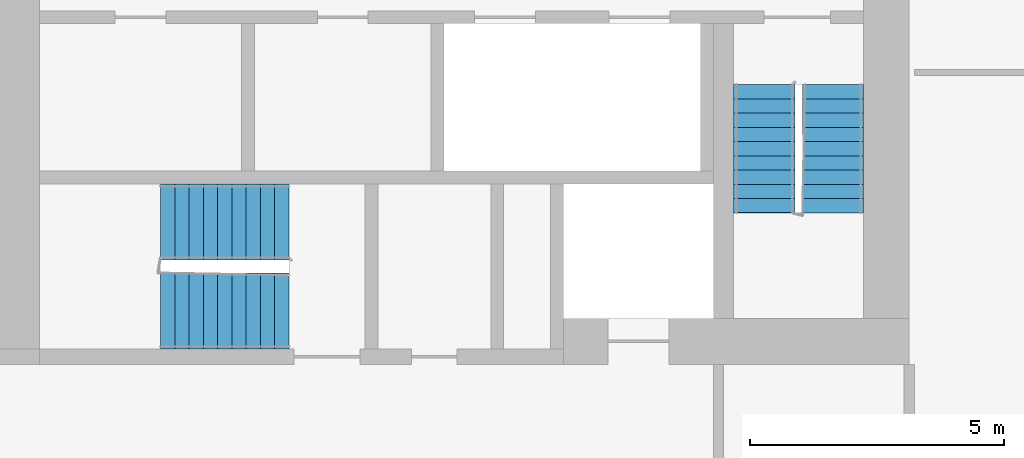
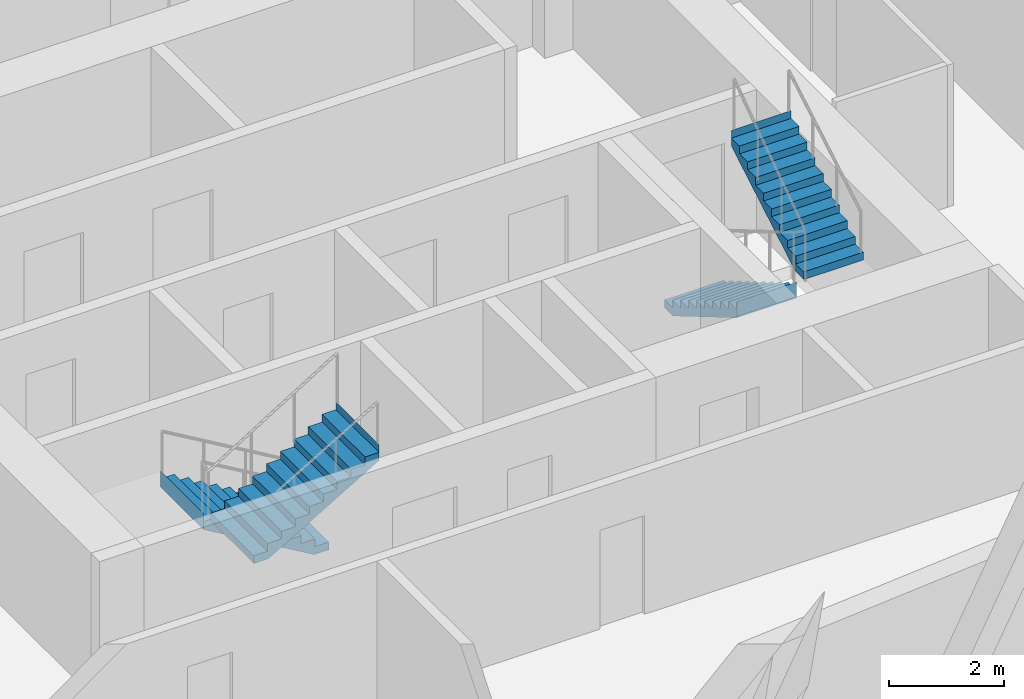
# One storey, part 9 of 13: 4 stair flights, 2 elements without a shape of their own.
"""IFC4 building model written with IfcOpenShell, lengths in metres."""

from ifc_helpers import new_model, si_unit, direction, frame, origin, place, context, subcontext, project, spatial, faceted_brep, material, type_object, element, aggregate, save


model = new_model("IFC4")

# Units and contexts
model_context = context("Model", 3, precision=1e-05, world=origin(), true_north=direction((0.0, 1.0)))
body_context = subcontext(model_context, "Body", "Model", "MODEL_VIEW")
ifc_project = project(units=[si_unit("LENGTHUNIT", "METRE"), si_unit("AREAUNIT", "SQUARE_METRE"), si_unit("VOLUMEUNIT", "CUBIC_METRE"), si_unit("PLANEANGLEUNIT", "RADIAN"), si_unit("MASSUNIT", "GRAM", prefix="KILO")], contexts=[model_context])

# Site, building, storey
site_placement = place(None, origin())
site = spatial("IfcSite", under=ifc_project, at=site_placement, CompositionType="ELEMENT")
building_placement = place(site_placement, origin())
building = spatial("IfcBuilding", under=site, at=building_placement, Name="Kajstack Hotel Tower", CompositionType="ELEMENT")
storey_placement = place(building_placement, frame((0.0, 0.0, 196.60009765625)))
storey = spatial("IfcBuildingStorey", under=building, at=storey_placement, Name="L47", CompositionType="ELEMENT", Elevation=196.60009765625)

# Stair, stair flights
ifc_material = material(Name="Concrete C40/50", Category="concrete")
stair_type_1 = type_object("IfcStairType", Name="Exit stair 1200", PredefinedType="HALF_TURN_STAIR", material=ifc_material)
stair_1_placement = place(storey_placement, origin())
stair_1 = element("IfcStair", 1, at=stair_1_placement, inside=storey, type_object=stair_type_1, Name="L47 stair W2", PredefinedType="HALF_TURN_STAIR")
stair_flight_type_1 = type_object("IfcStairFlightType", Name="Exit stair flight 1200", PredefinedType="STRAIGHT", material=ifc_material)
stair_flight_1_placement = place(storey_placement, frame((-16.35009765625, -10.0, 0.0), z_axis=(0.0, 0.0, 1.0), x_axis=(0.0, -1.0, 0.0)))
stair_flight_1 = element("IfcStairFlight", 2, at=stair_flight_1_placement, type_object=stair_flight_type_1, Name="W2 flight 1", NumberOfRisers=10, NumberOfTreads=9, PredefinedType="STRAIGHT", RiserHeight=0.165, TreadLength=0.28, context=body_context, shape_type="Brep", body=[
    faceted_brep([(0.295654296875, -0.60009765625, 0.0), (2.5205078125, -0.60009765625, 1.31103515625), (2.5205078125, -0.60009765625, 1.64990234375), (2.52001953125, -0.60009765625, 1.64990234375), (2.52001953125, -0.60009765625, 1.485107421875), (2.239990234375, -0.60009765625, 1.485107421875), (2.239990234375, -0.60009765625, 1.320068359375), (1.9599609375, -0.60009765625, 1.320068359375), (1.9599609375, -0.60009765625, 1.155029296875), (1.679931640625, -0.60009765625, 1.155029296875), (1.679931640625, -0.60009765625, 0.989990234375), (1.39990234375, -0.60009765625, 0.989990234375), (1.39990234375, -0.60009765625, 0.824951171875), (1.1201171875, -0.60009765625, 0.824951171875), (1.1201171875, -0.60009765625, 0.659912109375), (0.840087890625, -0.60009765625, 0.659912109375), (0.840087890625, -0.60009765625, 0.4951171875), (0.56005859375, -0.60009765625, 0.4951171875), (0.56005859375, -0.60009765625, 0.330078125), (0.280029296875, -0.60009765625, 0.330078125), (0.280029296875, -0.60009765625, 0.1650390625), (-0.00048828125, -0.60009765625, 0.1650390625), (-0.00048828125, -0.60009765625, 0.0), (-0.00048828125, 0.60009765625, 0.0), (-0.00048828125, 0.60009765625, 0.1650390625), (0.280029296875, 0.60009765625, 0.1650390625), (0.280029296875, 0.60009765625, 0.330078125), (0.56005859375, 0.60009765625, 0.330078125), (0.56005859375, 0.60009765625, 0.4951171875), (0.840087890625, 0.60009765625, 0.4951171875), (0.840087890625, 0.60009765625, 0.659912109375), (1.1201171875, 0.60009765625, 0.659912109375), (1.1201171875, 0.60009765625, 0.824951171875), (1.39990234375, 0.60009765625, 0.824951171875), (1.39990234375, 0.60009765625, 0.989990234375), (1.679931640625, 0.60009765625, 0.989990234375), (1.679931640625, 0.60009765625, 1.155029296875), (1.9599609375, 0.60009765625, 1.155029296875), (1.9599609375, 0.60009765625, 1.320068359375), (2.239990234375, 0.60009765625, 1.320068359375), (2.239990234375, 0.60009765625, 1.485107421875), (2.52001953125, 0.60009765625, 1.485107421875), (2.52001953125, 0.60009765625, 1.64990234375), (2.5205078125, 0.60009765625, 1.64990234375), (2.5205078125, 0.60009765625, 1.31103515625), (0.295654296875, 0.60009765625, 0.0), (-0.00048828125, -0.300048828125, 0.1650390625), (-0.00048828125, 0.0, 0.1650390625), (-0.00048828125, 0.300048828125, 0.1650390625), (-0.00048828125, 0.300048828125, 0.0), (-0.00048828125, 0.0, 0.0), (-0.00048828125, -0.300048828125, 0.0), (0.280029296875, -0.300048828125, 0.1650390625), (0.280029296875, 0.0, 0.1650390625), (0.280029296875, 0.300048828125, 0.1650390625), (0.280029296875, -0.300048828125, 0.330078125), (0.280029296875, 0.0, 0.330078125), (0.280029296875, 0.300048828125, 0.330078125), (0.56005859375, -0.300048828125, 0.330078125), (0.56005859375, 0.0, 0.330078125), (0.56005859375, 0.300048828125, 0.330078125), (0.56005859375, -0.300048828125, 0.4951171875), (0.56005859375, 0.0, 0.4951171875), (0.56005859375, 0.300048828125, 0.4951171875), (0.840087890625, -0.300048828125, 0.4951171875), (0.840087890625, 0.0, 0.4951171875), (0.840087890625, 0.300048828125, 0.4951171875), (0.840087890625, -0.300048828125, 0.659912109375), (0.840087890625, 0.0, 0.659912109375), (0.840087890625, 0.300048828125, 0.659912109375), (1.1201171875, -0.300048828125, 0.659912109375), (1.1201171875, 0.0, 0.659912109375), (1.1201171875, 0.300048828125, 0.659912109375), (1.1201171875, -0.300048828125, 0.824951171875), (1.1201171875, 0.0, 0.824951171875), (1.1201171875, 0.300048828125, 0.824951171875), (1.39990234375, -0.300048828125, 0.824951171875), (1.39990234375, 0.0, 0.824951171875), (1.39990234375, 0.300048828125, 0.824951171875), (1.39990234375, -0.300048828125, 0.989990234375), (1.39990234375, 0.0, 0.989990234375), (1.39990234375, 0.300048828125, 0.989990234375), (1.679931640625, -0.300048828125, 0.989990234375), (1.679931640625, 0.0, 0.989990234375), (1.679931640625, 0.300048828125, 0.989990234375), (1.679931640625, -0.300048828125, 1.155029296875), (1.679931640625, 0.0, 1.155029296875), (1.679931640625, 0.300048828125, 1.155029296875), (1.9599609375, -0.300048828125, 1.155029296875), (1.9599609375, 0.0, 1.155029296875), (1.9599609375, 0.300048828125, 1.155029296875), (1.9599609375, -0.300048828125, 1.320068359375), (1.9599609375, 0.0, 1.320068359375), (1.9599609375, 0.300048828125, 1.320068359375), (2.239990234375, -0.300048828125, 1.320068359375), (2.239990234375, 0.0, 1.320068359375), (2.239990234375, 0.300048828125, 1.320068359375), (2.239990234375, -0.300048828125, 1.485107421875), (2.239990234375, 0.0, 1.485107421875), (2.239990234375, 0.300048828125, 1.485107421875), (2.52001953125, -0.300048828125, 1.485107421875), (2.52001953125, 0.0, 1.485107421875), (2.52001953125, 0.300048828125, 1.485107421875), (2.52001953125, -0.300048828125, 1.64990234375), (2.52001953125, 0.0, 1.64990234375), (2.52001953125, 0.300048828125, 1.64990234375), (2.5205078125, -0.300048828125, 1.64990234375), (2.5205078125, 0.0, 1.64990234375), (2.5205078125, 0.300048828125, 1.64990234375), (2.5205078125, -0.300048828125, 1.31103515625), (2.5205078125, 0.0, 1.31103515625), (2.5205078125, 0.300048828125, 1.31103515625), (0.295654296875, -0.300048828125, 0.0), (0.295654296875, 0.0, 0.0), (0.295654296875, 0.300048828125, 0.0)], [[[0, 1, 2, 3, 4, 5, 6, 7, 8, 9, 10, 11, 12, 13, 14, 15, 16, 17, 18, 19, 20, 21, 22]], [[23, 24, 25, 26, 27, 28, 29, 30, 31, 32, 33, 34, 35, 36, 37, 38, 39, 40, 41, 42, 43, 44, 45]], [[21, 46, 47, 48, 24, 23, 49, 50, 51, 22]], [[20, 52, 53, 54, 25, 24, 48, 47, 46, 21]], [[19, 55, 56, 57, 26, 25, 54, 53, 52, 20]], [[18, 58, 59, 60, 27, 26, 57, 56, 55, 19]], [[17, 61, 62, 63, 28, 27, 60, 59, 58, 18]], [[16, 64, 65, 66, 29, 28, 63, 62, 61, 17]], [[15, 67, 68, 69, 30, 29, 66, 65, 64, 16]], [[14, 70, 71, 72, 31, 30, 69, 68, 67, 15]], [[13, 73, 74, 75, 32, 31, 72, 71, 70, 14]], [[12, 76, 77, 78, 33, 32, 75, 74, 73, 13]], [[11, 79, 80, 81, 34, 33, 78, 77, 76, 12]], [[10, 82, 83, 84, 35, 34, 81, 80, 79, 11]], [[9, 85, 86, 87, 36, 35, 84, 83, 82, 10]], [[8, 88, 89, 90, 37, 36, 87, 86, 85, 9]], [[7, 91, 92, 93, 38, 37, 90, 89, 88, 8]], [[6, 94, 95, 96, 39, 38, 93, 92, 91, 7]], [[5, 97, 98, 99, 40, 39, 96, 95, 94, 6]], [[4, 100, 101, 102, 41, 40, 99, 98, 97, 5]], [[3, 103, 104, 105, 42, 41, 102, 101, 100, 4]], [[2, 106, 107, 108, 43, 42, 105, 104, 103, 3]], [[1, 109, 110, 111, 44, 43, 108, 107, 106, 2]], [[0, 112, 113, 114, 45, 44, 111, 110, 109, 1]], [[22, 51, 50, 49, 23, 45, 114, 113, 112, 0]]]),
])
stair_flight_2_placement = place(storey_placement, frame((-15.0, -12.52001953125, 1.64990234375), z_axis=(0.0, 0.0, 1.0), x_axis=(0.0, 1.0, 0.0)))
stair_flight_2 = element("IfcStairFlight", 3, at=stair_flight_2_placement, type_object=stair_flight_type_1, Name="W2 flight 2", NumberOfRisers=10, NumberOfTreads=9, PredefinedType="STRAIGHT", RiserHeight=0.165, TreadLength=0.28, context=body_context, shape_type="Brep", body=[
    faceted_brep([(0.295654296875, -0.60009765625, 0.0), (2.5205078125, -0.60009765625, 1.31103515625), (2.5205078125, -0.60009765625, 1.64990234375), (2.52001953125, -0.60009765625, 1.64990234375), (2.52001953125, -0.60009765625, 1.485107421875), (2.239990234375, -0.60009765625, 1.485107421875), (2.239990234375, -0.60009765625, 1.320068359375), (1.9599609375, -0.60009765625, 1.320068359375), (1.9599609375, -0.60009765625, 1.155029296875), (1.679931640625, -0.60009765625, 1.155029296875), (1.679931640625, -0.60009765625, 0.989990234375), (1.39990234375, -0.60009765625, 0.989990234375), (1.39990234375, -0.60009765625, 0.824951171875), (1.1201171875, -0.60009765625, 0.824951171875), (1.1201171875, -0.60009765625, 0.659912109375), (0.840087890625, -0.60009765625, 0.659912109375), (0.840087890625, -0.60009765625, 0.4951171875), (0.56005859375, -0.60009765625, 0.4951171875), (0.56005859375, -0.60009765625, 0.330078125), (0.280029296875, -0.60009765625, 0.330078125), (0.280029296875, -0.60009765625, 0.1650390625), (-0.00048828125, -0.60009765625, 0.1650390625), (-0.00048828125, -0.60009765625, 0.0), (-0.00048828125, 0.60009765625, 0.0), (-0.00048828125, 0.60009765625, 0.1650390625), (0.280029296875, 0.60009765625, 0.1650390625), (0.280029296875, 0.60009765625, 0.330078125), (0.56005859375, 0.60009765625, 0.330078125), (0.56005859375, 0.60009765625, 0.4951171875), (0.840087890625, 0.60009765625, 0.4951171875), (0.840087890625, 0.60009765625, 0.659912109375), (1.1201171875, 0.60009765625, 0.659912109375), (1.1201171875, 0.60009765625, 0.824951171875), (1.39990234375, 0.60009765625, 0.824951171875), (1.39990234375, 0.60009765625, 0.989990234375), (1.679931640625, 0.60009765625, 0.989990234375), (1.679931640625, 0.60009765625, 1.155029296875), (1.9599609375, 0.60009765625, 1.155029296875), (1.9599609375, 0.60009765625, 1.320068359375), (2.239990234375, 0.60009765625, 1.320068359375), (2.239990234375, 0.60009765625, 1.485107421875), (2.52001953125, 0.60009765625, 1.485107421875), (2.52001953125, 0.60009765625, 1.64990234375), (2.5205078125, 0.60009765625, 1.64990234375), (2.5205078125, 0.60009765625, 1.31103515625), (0.295654296875, 0.60009765625, 0.0), (-0.00048828125, -0.300048828125, 0.1650390625), (-0.00048828125, 0.0, 0.1650390625), (-0.00048828125, 0.300048828125, 0.1650390625), (-0.00048828125, 0.300048828125, 0.0), (-0.00048828125, 0.0, 0.0), (-0.00048828125, -0.300048828125, 0.0), (0.280029296875, -0.300048828125, 0.1650390625), (0.280029296875, 0.0, 0.1650390625), (0.280029296875, 0.300048828125, 0.1650390625), (0.280029296875, -0.300048828125, 0.330078125), (0.280029296875, 0.0, 0.330078125), (0.280029296875, 0.300048828125, 0.330078125), (0.56005859375, -0.300048828125, 0.330078125), (0.56005859375, 0.0, 0.330078125), (0.56005859375, 0.300048828125, 0.330078125), (0.56005859375, -0.300048828125, 0.4951171875), (0.56005859375, 0.0, 0.4951171875), (0.56005859375, 0.300048828125, 0.4951171875), (0.840087890625, -0.300048828125, 0.4951171875), (0.840087890625, 0.0, 0.4951171875), (0.840087890625, 0.300048828125, 0.4951171875), (0.840087890625, -0.300048828125, 0.659912109375), (0.840087890625, 0.0, 0.659912109375), (0.840087890625, 0.300048828125, 0.659912109375), (1.1201171875, -0.300048828125, 0.659912109375), (1.1201171875, 0.0, 0.659912109375), (1.1201171875, 0.300048828125, 0.659912109375), (1.1201171875, -0.300048828125, 0.824951171875), (1.1201171875, 0.0, 0.824951171875), (1.1201171875, 0.300048828125, 0.824951171875), (1.39990234375, -0.300048828125, 0.824951171875), (1.39990234375, 0.0, 0.824951171875), (1.39990234375, 0.300048828125, 0.824951171875), (1.39990234375, -0.300048828125, 0.989990234375), (1.39990234375, 0.0, 0.989990234375), (1.39990234375, 0.300048828125, 0.989990234375), (1.679931640625, -0.300048828125, 0.989990234375), (1.679931640625, 0.0, 0.989990234375), (1.679931640625, 0.300048828125, 0.989990234375), (1.679931640625, -0.300048828125, 1.155029296875), (1.679931640625, 0.0, 1.155029296875), (1.679931640625, 0.300048828125, 1.155029296875), (1.9599609375, -0.300048828125, 1.155029296875), (1.9599609375, 0.0, 1.155029296875), (1.9599609375, 0.300048828125, 1.155029296875), (1.9599609375, -0.300048828125, 1.320068359375), (1.9599609375, 0.0, 1.320068359375), (1.9599609375, 0.300048828125, 1.320068359375), (2.239990234375, -0.300048828125, 1.320068359375), (2.239990234375, 0.0, 1.320068359375), (2.239990234375, 0.300048828125, 1.320068359375), (2.239990234375, -0.300048828125, 1.485107421875), (2.239990234375, 0.0, 1.485107421875), (2.239990234375, 0.300048828125, 1.485107421875), (2.52001953125, -0.300048828125, 1.485107421875), (2.52001953125, 0.0, 1.485107421875), (2.52001953125, 0.300048828125, 1.485107421875), (2.52001953125, -0.300048828125, 1.64990234375), (2.52001953125, 0.0, 1.64990234375), (2.52001953125, 0.300048828125, 1.64990234375), (2.5205078125, -0.300048828125, 1.64990234375), (2.5205078125, 0.0, 1.64990234375), (2.5205078125, 0.300048828125, 1.64990234375), (2.5205078125, -0.300048828125, 1.31103515625), (2.5205078125, 0.0, 1.31103515625), (2.5205078125, 0.300048828125, 1.31103515625), (0.295654296875, -0.300048828125, 0.0), (0.295654296875, 0.0, 0.0), (0.295654296875, 0.300048828125, 0.0)], [[[0, 1, 2, 3, 4, 5, 6, 7, 8, 9, 10, 11, 12, 13, 14, 15, 16, 17, 18, 19, 20, 21, 22]], [[23, 24, 25, 26, 27, 28, 29, 30, 31, 32, 33, 34, 35, 36, 37, 38, 39, 40, 41, 42, 43, 44, 45]], [[21, 46, 47, 48, 24, 23, 49, 50, 51, 22]], [[20, 52, 53, 54, 25, 24, 48, 47, 46, 21]], [[19, 55, 56, 57, 26, 25, 54, 53, 52, 20]], [[18, 58, 59, 60, 27, 26, 57, 56, 55, 19]], [[17, 61, 62, 63, 28, 27, 60, 59, 58, 18]], [[16, 64, 65, 66, 29, 28, 63, 62, 61, 17]], [[15, 67, 68, 69, 30, 29, 66, 65, 64, 16]], [[14, 70, 71, 72, 31, 30, 69, 68, 67, 15]], [[13, 73, 74, 75, 32, 31, 72, 71, 70, 14]], [[12, 76, 77, 78, 33, 32, 75, 74, 73, 13]], [[11, 79, 80, 81, 34, 33, 78, 77, 76, 12]], [[10, 82, 83, 84, 35, 34, 81, 80, 79, 11]], [[9, 85, 86, 87, 36, 35, 84, 83, 82, 10]], [[8, 88, 89, 90, 37, 36, 87, 86, 85, 9]], [[7, 91, 92, 93, 38, 37, 90, 89, 88, 8]], [[6, 94, 95, 96, 39, 38, 93, 92, 91, 7]], [[5, 97, 98, 99, 40, 39, 96, 95, 94, 6]], [[4, 100, 101, 102, 41, 40, 99, 98, 97, 5]], [[3, 103, 104, 105, 42, 41, 102, 101, 100, 4]], [[2, 106, 107, 108, 43, 42, 105, 104, 103, 3]], [[1, 109, 110, 111, 44, 43, 108, 107, 106, 2]], [[0, 112, 113, 114, 45, 44, 111, 110, 109, 1]], [[22, 51, 50, 49, 23, 45, 114, 113, 112, 0]]]),
])
aggregate(stair_1, [stair_flight_1, stair_flight_2])

stair_type_2 = type_object("IfcStairType", Name="Exit stair 1500", PredefinedType="HALF_TURN_STAIR", material=ifc_material)
stair_2_placement = place(storey_placement, origin())
stair_2 = element("IfcStair", 4, at=stair_2_placement, inside=storey, type_object=stair_type_2, Name="L47 stair W3", PredefinedType="HALF_TURN_STAIR")
stair_flight_type_2 = type_object("IfcStairFlightType", Name="Exit stair flight 1500", PredefinedType="STRAIGHT", material=ifc_material)
stair_flight_3_placement = place(storey_placement, frame((-25.699951171875, -12.699951171875, 0.0), z_axis=(0.0, 0.0, 1.0), x_axis=(-1.0, 0.0, 0.0)))
stair_flight_3 = element("IfcStairFlight", 5, at=stair_flight_3_placement, type_object=stair_flight_type_2, Name="W3 flight 1", NumberOfRisers=10, NumberOfTreads=9, PredefinedType="STRAIGHT", RiserHeight=0.165, TreadLength=0.28, context=body_context, shape_type="Brep", body=[
    faceted_brep([(0.295654296875, -0.75, 0.0), (2.5205078125, -0.75, 1.31103515625), (2.5205078125, -0.75, 1.64990234375), (2.52001953125, -0.75, 1.64990234375), (2.52001953125, -0.75, 1.485107421875), (2.239990234375, -0.75, 1.485107421875), (2.239990234375, -0.75, 1.320068359375), (1.9599609375, -0.75, 1.320068359375), (1.9599609375, -0.75, 1.155029296875), (1.679931640625, -0.75, 1.155029296875), (1.679931640625, -0.75, 0.989990234375), (1.39990234375, -0.75, 0.989990234375), (1.39990234375, -0.75, 0.824951171875), (1.1201171875, -0.75, 0.824951171875), (1.1201171875, -0.75, 0.659912109375), (0.840087890625, -0.75, 0.659912109375), (0.840087890625, -0.75, 0.4951171875), (0.56005859375, -0.75, 0.4951171875), (0.56005859375, -0.75, 0.330078125), (0.280029296875, -0.75, 0.330078125), (0.280029296875, -0.75, 0.1650390625), (-0.00048828125, -0.75, 0.1650390625), (-0.00048828125, -0.75, 0.0), (-0.00048828125, 0.75, 0.0), (-0.00048828125, 0.75, 0.1650390625), (0.280029296875, 0.75, 0.1650390625), (0.280029296875, 0.75, 0.330078125), (0.56005859375, 0.75, 0.330078125), (0.56005859375, 0.75, 0.4951171875), (0.840087890625, 0.75, 0.4951171875), (0.840087890625, 0.75, 0.659912109375), (1.1201171875, 0.75, 0.659912109375), (1.1201171875, 0.75, 0.824951171875), (1.39990234375, 0.75, 0.824951171875), (1.39990234375, 0.75, 0.989990234375), (1.679931640625, 0.75, 0.989990234375), (1.679931640625, 0.75, 1.155029296875), (1.9599609375, 0.75, 1.155029296875), (1.9599609375, 0.75, 1.320068359375), (2.239990234375, 0.75, 1.320068359375), (2.239990234375, 0.75, 1.485107421875), (2.52001953125, 0.75, 1.485107421875), (2.52001953125, 0.75, 1.64990234375), (2.5205078125, 0.75, 1.64990234375), (2.5205078125, 0.75, 1.31103515625), (0.295654296875, 0.75, 0.0), (-0.00048828125, -0.375, 0.1650390625), (-0.00048828125, 0.0, 0.1650390625), (-0.00048828125, 0.375, 0.1650390625), (-0.00048828125, 0.375, 0.0), (-0.00048828125, 0.0, 0.0), (-0.00048828125, -0.375, 0.0), (0.280029296875, -0.375, 0.1650390625), (0.280029296875, 0.0, 0.1650390625), (0.280029296875, 0.375, 0.1650390625), (0.280029296875, -0.375, 0.330078125), (0.280029296875, 0.0, 0.330078125), (0.280029296875, 0.375, 0.330078125), (0.56005859375, -0.375, 0.330078125), (0.56005859375, 0.0, 0.330078125), (0.56005859375, 0.375, 0.330078125), (0.56005859375, -0.375, 0.4951171875), (0.56005859375, 0.0, 0.4951171875), (0.56005859375, 0.375, 0.4951171875), (0.840087890625, -0.375, 0.4951171875), (0.840087890625, 0.0, 0.4951171875), (0.840087890625, 0.375, 0.4951171875), (0.840087890625, -0.375, 0.659912109375), (0.840087890625, 0.0, 0.659912109375), (0.840087890625, 0.375, 0.659912109375), (1.1201171875, -0.375, 0.659912109375), (1.1201171875, 0.0, 0.659912109375), (1.1201171875, 0.375, 0.659912109375), (1.1201171875, -0.375, 0.824951171875), (1.1201171875, 0.0, 0.824951171875), (1.1201171875, 0.375, 0.824951171875), (1.39990234375, -0.375, 0.824951171875), (1.39990234375, 0.0, 0.824951171875), (1.39990234375, 0.375, 0.824951171875), (1.39990234375, -0.375, 0.989990234375), (1.39990234375, 0.0, 0.989990234375), (1.39990234375, 0.375, 0.989990234375), (1.679931640625, -0.375, 0.989990234375), (1.679931640625, 0.0, 0.989990234375), (1.679931640625, 0.375, 0.989990234375), (1.679931640625, -0.375, 1.155029296875), (1.679931640625, 0.0, 1.155029296875), (1.679931640625, 0.375, 1.155029296875), (1.9599609375, -0.375, 1.155029296875), (1.9599609375, 0.0, 1.155029296875), (1.9599609375, 0.375, 1.155029296875), (1.9599609375, -0.375, 1.320068359375), (1.9599609375, 0.0, 1.320068359375), (1.9599609375, 0.375, 1.320068359375), (2.239990234375, -0.375, 1.320068359375), (2.239990234375, 0.0, 1.320068359375), (2.239990234375, 0.375, 1.320068359375), (2.239990234375, -0.375, 1.485107421875), (2.239990234375, 0.0, 1.485107421875), (2.239990234375, 0.375, 1.485107421875), (2.52001953125, -0.375, 1.485107421875), (2.52001953125, 0.0, 1.485107421875), (2.52001953125, 0.375, 1.485107421875), (2.52001953125, -0.375, 1.64990234375), (2.52001953125, 0.0, 1.64990234375), (2.52001953125, 0.375, 1.64990234375), (2.5205078125, -0.375, 1.64990234375), (2.5205078125, 0.0, 1.64990234375), (2.5205078125, 0.375, 1.64990234375), (2.5205078125, -0.375, 1.31103515625), (2.5205078125, 0.0, 1.31103515625), (2.5205078125, 0.375, 1.31103515625), (0.295654296875, -0.375, 0.0), (0.295654296875, 0.0, 0.0), (0.295654296875, 0.375, 0.0)], [[[0, 1, 2, 3, 4, 5, 6, 7, 8, 9, 10, 11, 12, 13, 14, 15, 16, 17, 18, 19, 20, 21, 22]], [[23, 24, 25, 26, 27, 28, 29, 30, 31, 32, 33, 34, 35, 36, 37, 38, 39, 40, 41, 42, 43, 44, 45]], [[21, 46, 47, 48, 24, 23, 49, 50, 51, 22]], [[20, 52, 53, 54, 25, 24, 48, 47, 46, 21]], [[19, 55, 56, 57, 26, 25, 54, 53, 52, 20]], [[18, 58, 59, 60, 27, 26, 57, 56, 55, 19]], [[17, 61, 62, 63, 28, 27, 60, 59, 58, 18]], [[16, 64, 65, 66, 29, 28, 63, 62, 61, 17]], [[15, 67, 68, 69, 30, 29, 66, 65, 64, 16]], [[14, 70, 71, 72, 31, 30, 69, 68, 67, 15]], [[13, 73, 74, 75, 32, 31, 72, 71, 70, 14]], [[12, 76, 77, 78, 33, 32, 75, 74, 73, 13]], [[11, 79, 80, 81, 34, 33, 78, 77, 76, 12]], [[10, 82, 83, 84, 35, 34, 81, 80, 79, 11]], [[9, 85, 86, 87, 36, 35, 84, 83, 82, 10]], [[8, 88, 89, 90, 37, 36, 87, 86, 85, 9]], [[7, 91, 92, 93, 38, 37, 90, 89, 88, 8]], [[6, 94, 95, 96, 39, 38, 93, 92, 91, 7]], [[5, 97, 98, 99, 40, 39, 96, 95, 94, 6]], [[4, 100, 101, 102, 41, 40, 99, 98, 97, 5]], [[3, 103, 104, 105, 42, 41, 102, 101, 100, 4]], [[2, 106, 107, 108, 43, 42, 105, 104, 103, 3]], [[1, 109, 110, 111, 44, 43, 108, 107, 106, 2]], [[0, 112, 113, 114, 45, 44, 111, 110, 109, 1]], [[22, 51, 50, 49, 23, 45, 114, 113, 112, 0]]]),
])
stair_flight_4_placement = place(storey_placement, frame((-28.219970703125, -14.449951171875, 1.64990234375), z_axis=(0.0, 0.0, 1.0), x_axis=(1.0, 0.0, 0.0)))
stair_flight_4 = element("IfcStairFlight", 6, at=stair_flight_4_placement, type_object=stair_flight_type_2, Name="W3 flight 2", NumberOfRisers=10, NumberOfTreads=9, PredefinedType="STRAIGHT", RiserHeight=0.165, TreadLength=0.28, context=body_context, shape_type="Brep", body=[
    faceted_brep([(0.295654296875, -0.75, 0.0), (2.5205078125, -0.75, 1.31103515625), (2.5205078125, -0.75, 1.64990234375), (2.52001953125, -0.75, 1.64990234375), (2.52001953125, -0.75, 1.485107421875), (2.239990234375, -0.75, 1.485107421875), (2.239990234375, -0.75, 1.320068359375), (1.9599609375, -0.75, 1.320068359375), (1.9599609375, -0.75, 1.155029296875), (1.679931640625, -0.75, 1.155029296875), (1.679931640625, -0.75, 0.989990234375), (1.39990234375, -0.75, 0.989990234375), (1.39990234375, -0.75, 0.824951171875), (1.1201171875, -0.75, 0.824951171875), (1.1201171875, -0.75, 0.659912109375), (0.840087890625, -0.75, 0.659912109375), (0.840087890625, -0.75, 0.4951171875), (0.56005859375, -0.75, 0.4951171875), (0.56005859375, -0.75, 0.330078125), (0.280029296875, -0.75, 0.330078125), (0.280029296875, -0.75, 0.1650390625), (-0.00048828125, -0.75, 0.1650390625), (-0.00048828125, -0.75, 0.0), (-0.00048828125, 0.75, 0.0), (-0.00048828125, 0.75, 0.1650390625), (0.280029296875, 0.75, 0.1650390625), (0.280029296875, 0.75, 0.330078125), (0.56005859375, 0.75, 0.330078125), (0.56005859375, 0.75, 0.4951171875), (0.840087890625, 0.75, 0.4951171875), (0.840087890625, 0.75, 0.659912109375), (1.1201171875, 0.75, 0.659912109375), (1.1201171875, 0.75, 0.824951171875), (1.39990234375, 0.75, 0.824951171875), (1.39990234375, 0.75, 0.989990234375), (1.679931640625, 0.75, 0.989990234375), (1.679931640625, 0.75, 1.155029296875), (1.9599609375, 0.75, 1.155029296875), (1.9599609375, 0.75, 1.320068359375), (2.239990234375, 0.75, 1.320068359375), (2.239990234375, 0.75, 1.485107421875), (2.52001953125, 0.75, 1.485107421875), (2.52001953125, 0.75, 1.64990234375), (2.5205078125, 0.75, 1.64990234375), (2.5205078125, 0.75, 1.31103515625), (0.295654296875, 0.75, 0.0), (-0.00048828125, -0.375, 0.1650390625), (-0.00048828125, 0.0, 0.1650390625), (-0.00048828125, 0.375, 0.1650390625), (-0.00048828125, 0.375, 0.0), (-0.00048828125, 0.0, 0.0), (-0.00048828125, -0.375, 0.0), (0.280029296875, -0.375, 0.1650390625), (0.280029296875, 0.0, 0.1650390625), (0.280029296875, 0.375, 0.1650390625), (0.280029296875, -0.375, 0.330078125), (0.280029296875, 0.0, 0.330078125), (0.280029296875, 0.375, 0.330078125), (0.56005859375, -0.375, 0.330078125), (0.56005859375, 0.0, 0.330078125), (0.56005859375, 0.375, 0.330078125), (0.56005859375, -0.375, 0.4951171875), (0.56005859375, 0.0, 0.4951171875), (0.56005859375, 0.375, 0.4951171875), (0.840087890625, -0.375, 0.4951171875), (0.840087890625, 0.0, 0.4951171875), (0.840087890625, 0.375, 0.4951171875), (0.840087890625, -0.375, 0.659912109375), (0.840087890625, 0.0, 0.659912109375), (0.840087890625, 0.375, 0.659912109375), (1.1201171875, -0.375, 0.659912109375), (1.1201171875, 0.0, 0.659912109375), (1.1201171875, 0.375, 0.659912109375), (1.1201171875, -0.375, 0.824951171875), (1.1201171875, 0.0, 0.824951171875), (1.1201171875, 0.375, 0.824951171875), (1.39990234375, -0.375, 0.824951171875), (1.39990234375, 0.0, 0.824951171875), (1.39990234375, 0.375, 0.824951171875), (1.39990234375, -0.375, 0.989990234375), (1.39990234375, 0.0, 0.989990234375), (1.39990234375, 0.375, 0.989990234375), (1.679931640625, -0.375, 0.989990234375), (1.679931640625, 0.0, 0.989990234375), (1.679931640625, 0.375, 0.989990234375), (1.679931640625, -0.375, 1.155029296875), (1.679931640625, 0.0, 1.155029296875), (1.679931640625, 0.375, 1.155029296875), (1.9599609375, -0.375, 1.155029296875), (1.9599609375, 0.0, 1.155029296875), (1.9599609375, 0.375, 1.155029296875), (1.9599609375, -0.375, 1.320068359375), (1.9599609375, 0.0, 1.320068359375), (1.9599609375, 0.375, 1.320068359375), (2.239990234375, -0.375, 1.320068359375), (2.239990234375, 0.0, 1.320068359375), (2.239990234375, 0.375, 1.320068359375), (2.239990234375, -0.375, 1.485107421875), (2.239990234375, 0.0, 1.485107421875), (2.239990234375, 0.375, 1.485107421875), (2.52001953125, -0.375, 1.485107421875), (2.52001953125, 0.0, 1.485107421875), (2.52001953125, 0.375, 1.485107421875), (2.52001953125, -0.375, 1.64990234375), (2.52001953125, 0.0, 1.64990234375), (2.52001953125, 0.375, 1.64990234375), (2.5205078125, -0.375, 1.64990234375), (2.5205078125, 0.0, 1.64990234375), (2.5205078125, 0.375, 1.64990234375), (2.5205078125, -0.375, 1.31103515625), (2.5205078125, 0.0, 1.31103515625), (2.5205078125, 0.375, 1.31103515625), (0.295654296875, -0.375, 0.0), (0.295654296875, 0.0, 0.0), (0.295654296875, 0.375, 0.0)], [[[0, 1, 2, 3, 4, 5, 6, 7, 8, 9, 10, 11, 12, 13, 14, 15, 16, 17, 18, 19, 20, 21, 22]], [[23, 24, 25, 26, 27, 28, 29, 30, 31, 32, 33, 34, 35, 36, 37, 38, 39, 40, 41, 42, 43, 44, 45]], [[21, 46, 47, 48, 24, 23, 49, 50, 51, 22]], [[20, 52, 53, 54, 25, 24, 48, 47, 46, 21]], [[19, 55, 56, 57, 26, 25, 54, 53, 52, 20]], [[18, 58, 59, 60, 27, 26, 57, 56, 55, 19]], [[17, 61, 62, 63, 28, 27, 60, 59, 58, 18]], [[16, 64, 65, 66, 29, 28, 63, 62, 61, 17]], [[15, 67, 68, 69, 30, 29, 66, 65, 64, 16]], [[14, 70, 71, 72, 31, 30, 69, 68, 67, 15]], [[13, 73, 74, 75, 32, 31, 72, 71, 70, 14]], [[12, 76, 77, 78, 33, 32, 75, 74, 73, 13]], [[11, 79, 80, 81, 34, 33, 78, 77, 76, 12]], [[10, 82, 83, 84, 35, 34, 81, 80, 79, 11]], [[9, 85, 86, 87, 36, 35, 84, 83, 82, 10]], [[8, 88, 89, 90, 37, 36, 87, 86, 85, 9]], [[7, 91, 92, 93, 38, 37, 90, 89, 88, 8]], [[6, 94, 95, 96, 39, 38, 93, 92, 91, 7]], [[5, 97, 98, 99, 40, 39, 96, 95, 94, 6]], [[4, 100, 101, 102, 41, 40, 99, 98, 97, 5]], [[3, 103, 104, 105, 42, 41, 102, 101, 100, 4]], [[2, 106, 107, 108, 43, 42, 105, 104, 103, 3]], [[1, 109, 110, 111, 44, 43, 108, 107, 106, 2]], [[0, 112, 113, 114, 45, 44, 111, 110, 109, 1]], [[22, 51, 50, 49, 23, 45, 114, 113, 112, 0]]]),
])
aggregate(stair_2, [stair_flight_3, stair_flight_4])

save(model, "model.ifc")
